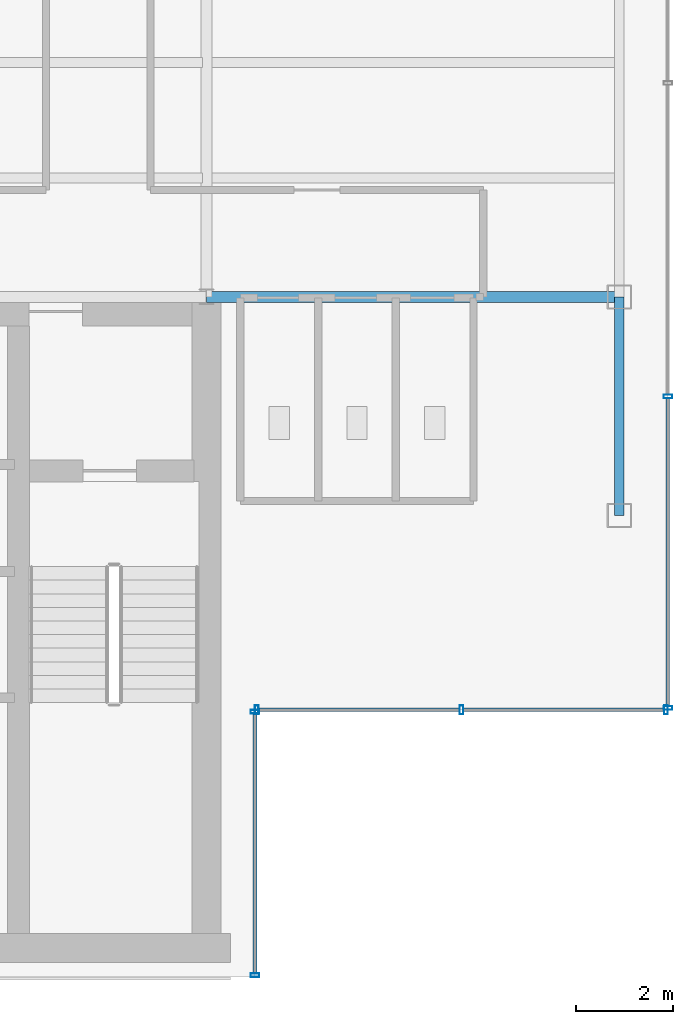
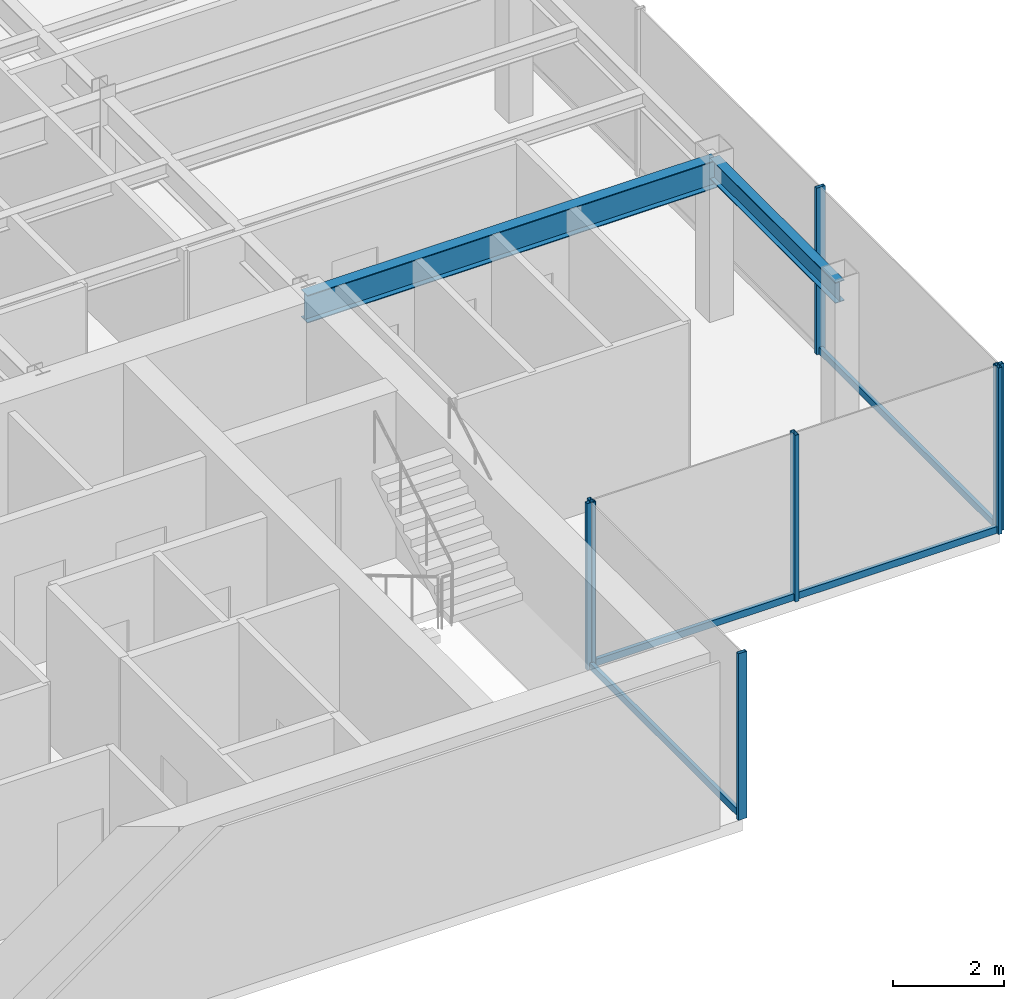
# One storey, part 9 of 22: 11 members, 2 beams, 3 elements without a shape of their own.
"""IFC4 building model written with IfcOpenShell, lengths in metres."""

from ifc_helpers import new_model, si_unit, derived_unit, direction, frame, origin, origin_2d, place, context, subcontext, project, spatial, hollow_rectangle, i_section, extrude, source, transform, mapped, material, material_profile, profile_set, type_object, element, aggregate, save


model = new_model("IFC4")

# Units and contexts
model_context = context("Model", 3, precision=1e-05, world=origin(), true_north=direction((0.0, 1.0)))
body_context = subcontext(model_context, "Body", "Model", "MODEL_VIEW")
ifc_project = project(units=[si_unit("LENGTHUNIT", "METRE"), si_unit("AREAUNIT", "SQUARE_METRE"), si_unit("VOLUMEUNIT", "CUBIC_METRE"), si_unit("PLANEANGLEUNIT", "RADIAN"), si_unit("MASSUNIT", "GRAM", prefix="KILO"), derived_unit("THERMALTRANSMITTANCEUNIT", [(si_unit("POWERUNIT", "WATT"), 1), (si_unit("LENGTHUNIT", "METRE"), -2), (si_unit("THERMODYNAMICTEMPERATUREUNIT", "KELVIN"), -1)])], contexts=[model_context])

# Site, building, storey
site_placement = place(None, origin())
site = spatial("IfcSite", under=ifc_project, at=site_placement, CompositionType="ELEMENT")
building_placement = place(site_placement, origin())
building = spatial("IfcBuilding", under=site, at=building_placement, Name="Skarnbrae Concourse Arena and Tower", CompositionType="ELEMENT")
storey_placement = place(building_placement, frame((0.0, 0.0, 269.75)))
storey = spatial("IfcBuildingStorey", under=building, at=storey_placement, Name="L70", CompositionType="ELEMENT", Elevation=269.75)

# Beams
ifc_material_1 = material(Name="Steel CSA G40.21 350W", Category="steel")
ifc_material_profile_1 = material_profile(ifc_material_1, i_section(OverallWidth=0.22802734375, OverallDepth=0.60791015625, WebThickness=0.01123046875, FlangeThickness=0.017333984375, at=origin_2d()), Name="W610X113")
ifc_profile_set_1 = profile_set([ifc_material_profile_1], Name="Steel CSA G40.21 350W")
beam_type_1 = type_object("IfcBeamType", Name="BM-GIRD-W610X113", PredefinedType="BEAM", material=ifc_profile_set_1)
shared_shape_1 = source(origin(), body_context, "Body", "SweptSolid", [
    extrude(i_section(OverallWidth=0.22802734375, OverallDepth=0.60791015625, WebThickness=0.01123046875, FlangeThickness=0.017333984375, at=origin_2d()), origin(), (0.0, 0.0, 1.0), 8.5),
])
beam_1_placement = place(storey_placement, frame((33.5, 14.0, 3.095947265625), z_axis=(1.0, 0.0, 0.0), x_axis=(0.0, 1.0, 0.0)))
element("IfcBeam", 1, at=beam_1_placement, inside=storey, type_object=beam_type_1, Name="L70 Primary E-W girder Y14.0-6", PredefinedType="BEAM", context=body_context, shape_type="MappedRepresentation", body=[
    mapped(shared_shape_1, transform((0.0, 0.0, 0.0))),
])
ifc_material_profile_2 = material_profile(ifc_material_1, i_section(OverallWidth=0.19091796875, OverallDepth=0.4599609375, WebThickness=0.010009765625, FlangeThickness=0.01611328125, at=origin_2d()), Name="W460X82")
ifc_profile_set_2 = profile_set([ifc_material_profile_2], Name="Steel CSA G40.21 350W")
beam_type_2 = type_object("IfcBeamType", Name="BM-SPAN-W460X82", PredefinedType="SPANDREL", material=ifc_profile_set_2)
shared_shape_2 = source(origin(), body_context, "Body", "SweptSolid", [
    extrude(i_section(OverallWidth=0.19091796875, OverallDepth=0.4599609375, WebThickness=0.010009765625, FlangeThickness=0.01611328125, at=origin_2d()), origin(), (0.0, 0.0, 1.0), 4.5),
])
beam_2_placement = place(storey_placement, frame((42.0, 9.5, 3.169921875), z_axis=(0.0, 1.0, 0.0), x_axis=(-1.0, 0.0, 0.0)))
element("IfcBeam", 2, at=beam_2_placement, inside=storey, type_object=beam_type_2, Name="L70 Perimeter spandrel X42.0-1", PredefinedType="SPANDREL", context=body_context, shape_type="MappedRepresentation", body=[
    mapped(shared_shape_2, transform((0.0, 0.0, 0.0))),
])

# Curtain wall, members
ifc_material_2 = material(Name="Bronze anodised aluminium 6063-T6", Category="aluminium")
curtain_wall_type = type_object("IfcCurtainWallType", Name="CW-SYS-05-HIGHZONE", PredefinedType="USERDEFINED", material=ifc_material_2)
curtain_wall_1_placement = place(storey_placement, origin())
curtain_wall_1 = element("IfcCurtainWall", 3, at=curtain_wall_1_placement, inside=storey, type_object=curtain_wall_type, Name="L70 Unitised curtain wall CW-L70-E02", ObjectType="UNITISED CURTAIN WALL", PredefinedType="USERDEFINED")
ifc_material_profile_3 = material_profile(ifc_material_2, hollow_rectangle(XDim=0.074951171875, YDim=0.179931640625, WallThickness=0.00390625, at=origin_2d()), Name="ALU-MULL-75X180")
ifc_profile_set_3 = profile_set([ifc_material_profile_3], Name="Bronze anodised aluminium 6063-T6")
member_type_1 = type_object("IfcMemberType", Name="CWM-CW-05", PredefinedType="MULLION", material=ifc_profile_set_3)
shared_shape_3 = source(origin(), body_context, "Body", "SweptSolid", [
    extrude(hollow_rectangle(XDim=0.074951171875, YDim=0.179931640625, WallThickness=0.00390625, at=origin_2d()), origin(), (0.0, 0.0, 1.0), 3.64990234375),
])
member_1_placement = place(storey_placement, frame((34.5, 0.03759765625, 0.0), z_axis=(0.0, 0.0, 1.0), x_axis=(0.0, 1.0, 0.0)))
member_1 = element("IfcMember", 4, at=member_1_placement, type_object=member_type_1, Name="CW-L70-E02 Mullion 1", PredefinedType="MULLION", context=body_context, shape_type="MappedRepresentation", body=[
    mapped(shared_shape_3, transform((0.0, 0.0, 0.0))),
])
member_2_placement = place(storey_placement, frame((34.5, 5.46240234375, 0.0), z_axis=(0.0, 0.0, 1.0), x_axis=(0.0, 1.0, 0.0)))
member_2 = element("IfcMember", 5, at=member_2_placement, type_object=member_type_1, Name="CW-L70-E02 Mullion 2", PredefinedType="MULLION", context=body_context, shape_type="MappedRepresentation", body=[
    mapped(shared_shape_3, transform((0.0, 0.0, 0.0))),
])

curtain_wall_2_placement = place(storey_placement, origin())
curtain_wall_2 = element("IfcCurtainWall", 6, at=curtain_wall_2_placement, inside=storey, type_object=curtain_wall_type, Name="L70 Unitised curtain wall CW-L70-E03", ObjectType="UNITISED CURTAIN WALL", PredefinedType="USERDEFINED")
member_3_placement = place(storey_placement, frame((34.53759765625, 5.5, 0.0), z_axis=(0.0, 0.0, 1.0), x_axis=(1.0, 0.0, 0.0)))
member_3 = element("IfcMember", 7, at=member_3_placement, type_object=member_type_1, Name="CW-L70-E03 Mullion 1", PredefinedType="MULLION", context=body_context, shape_type="MappedRepresentation", body=[
    mapped(shared_shape_3, transform((0.0, 0.0, 0.0))),
])
member_4_placement = place(storey_placement, frame((38.75, 5.5, 0.0), z_axis=(0.0, 0.0, 1.0), x_axis=(1.0, 0.0, 0.0)))
member_4 = element("IfcMember", 8, at=member_4_placement, type_object=member_type_1, Name="CW-L70-E03 Mullion 2", PredefinedType="MULLION", context=body_context, shape_type="MappedRepresentation", body=[
    mapped(shared_shape_3, transform((0.0, 0.0, 0.0))),
])
member_5_placement = place(storey_placement, frame((42.96240234375, 5.5, 0.0), z_axis=(0.0, 0.0, 1.0), x_axis=(1.0, 0.0, 0.0)))
member_5 = element("IfcMember", 9, at=member_5_placement, type_object=member_type_1, Name="CW-L70-E03 Mullion 3", PredefinedType="MULLION", context=body_context, shape_type="MappedRepresentation", body=[
    mapped(shared_shape_3, transform((0.0, 0.0, 0.0))),
])

curtain_wall_3_placement = place(storey_placement, origin())
curtain_wall_3 = element("IfcCurtainWall", 10, at=curtain_wall_3_placement, inside=storey, type_object=curtain_wall_type, Name="L70 Unitised curtain wall CW-L70-E04", ObjectType="UNITISED CURTAIN WALL", PredefinedType="USERDEFINED")
member_6_placement = place(storey_placement, frame((43.0, 5.53759765625, 0.0), z_axis=(0.0, 0.0, 1.0), x_axis=(0.0, 1.0, 0.0)))
member_6 = element("IfcMember", 11, at=member_6_placement, type_object=member_type_1, Name="CW-L70-E04 Mullion 1", PredefinedType="MULLION", context=body_context, shape_type="MappedRepresentation", body=[
    mapped(shared_shape_3, transform((0.0, 0.0, 0.0))),
])
member_7_placement = place(storey_placement, frame((43.0, 11.949951171875, 0.0), z_axis=(0.0, 0.0, 1.0), x_axis=(0.0, 1.0, 0.0)))
member_7 = element("IfcMember", 12, at=member_7_placement, type_object=member_type_1, Name="CW-L70-E04 Mullion 2", PredefinedType="MULLION", context=body_context, shape_type="MappedRepresentation", body=[
    mapped(shared_shape_3, transform((0.0, 0.0, 0.0))),
])

# Member
ifc_material_profile_4 = material_profile(ifc_material_2, hollow_rectangle(XDim=0.074951171875, YDim=0.14990234375, WallThickness=0.00390625, at=origin_2d()), Name="ALU-TRAN-75X150")
ifc_profile_set_4 = profile_set([ifc_material_profile_4], Name="Bronze anodised aluminium 6063-T6")
member_type_2 = type_object("IfcMemberType", Name="CWT-CW-05", PredefinedType="USERDEFINED", material=ifc_profile_set_4)
shared_shape_4 = source(origin(), body_context, "Body", "SweptSolid", [
    extrude(hollow_rectangle(XDim=0.074951171875, YDim=0.14990234375, WallThickness=0.00390625, at=origin_2d()), origin(), (0.0, 0.0, 1.0), 5.35009765625),
])
member_8_placement = place(storey_placement, frame((34.5, 0.074951171875, 0.074951171875), z_axis=(0.0, 1.0, 0.0), x_axis=(-1.0, 0.0, 0.0)))
member_8 = element("IfcMember", 13, at=member_8_placement, type_object=member_type_2, Name="CW-L70-E02 Transom 1", ObjectType="TRANSOM", PredefinedType="USERDEFINED", context=body_context, shape_type="MappedRepresentation", body=[
    mapped(shared_shape_4, transform((0.0, 0.0, 0.0))),
])

aggregate(curtain_wall_1, [member_1, member_2, member_8])

shared_shape_5 = source(origin(), body_context, "Body", "SweptSolid", [
    extrude(hollow_rectangle(XDim=0.074951171875, YDim=0.14990234375, WallThickness=0.00390625, at=origin_2d()), origin(), (0.0, 0.0, 1.0), 4.137451171875),
])
member_9_placement = place(storey_placement, frame((34.574951171875, 5.5, 0.074951171875), z_axis=(1.0, 0.0, 0.0), x_axis=(0.0, 1.0, 0.0)))
member_9 = element("IfcMember", 14, at=member_9_placement, type_object=member_type_2, Name="CW-L70-E03 Transom 1", ObjectType="TRANSOM", PredefinedType="USERDEFINED", context=body_context, shape_type="MappedRepresentation", body=[
    mapped(shared_shape_5, transform((0.0, 0.0, 0.0))),
])

member_10_placement = place(storey_placement, frame((38.78759765625, 5.5, 0.074951171875), z_axis=(1.0, 0.0, 0.0), x_axis=(0.0, 1.0, 0.0)))
member_10 = element("IfcMember", 15, at=member_10_placement, type_object=member_type_2, Name="CW-L70-E03 Transom 2", ObjectType="TRANSOM", PredefinedType="USERDEFINED", context=body_context, shape_type="MappedRepresentation", body=[
    mapped(shared_shape_5, transform((0.0, 0.0, 0.0))),
])

aggregate(curtain_wall_2, [member_3, member_4, member_5, member_9, member_10])

shared_shape_6 = source(origin(), body_context, "Body", "SweptSolid", [
    extrude(hollow_rectangle(XDim=0.074951171875, YDim=0.14990234375, WallThickness=0.00390625, at=origin_2d()), origin(), (0.0, 0.0, 1.0), 6.337646484375),
])
member_11_placement = place(storey_placement, frame((43.0, 5.574951171875, 0.074951171875), z_axis=(0.0, 1.0, 0.0), x_axis=(-1.0, 0.0, 0.0)))
member_11 = element("IfcMember", 16, at=member_11_placement, type_object=member_type_2, Name="CW-L70-E04 Transom 1", ObjectType="TRANSOM", PredefinedType="USERDEFINED", context=body_context, shape_type="MappedRepresentation", body=[
    mapped(shared_shape_6, transform((0.0, 0.0, 0.0))),
])

aggregate(curtain_wall_3, [member_6, member_7, member_11])

save(model, "model.ifc")
